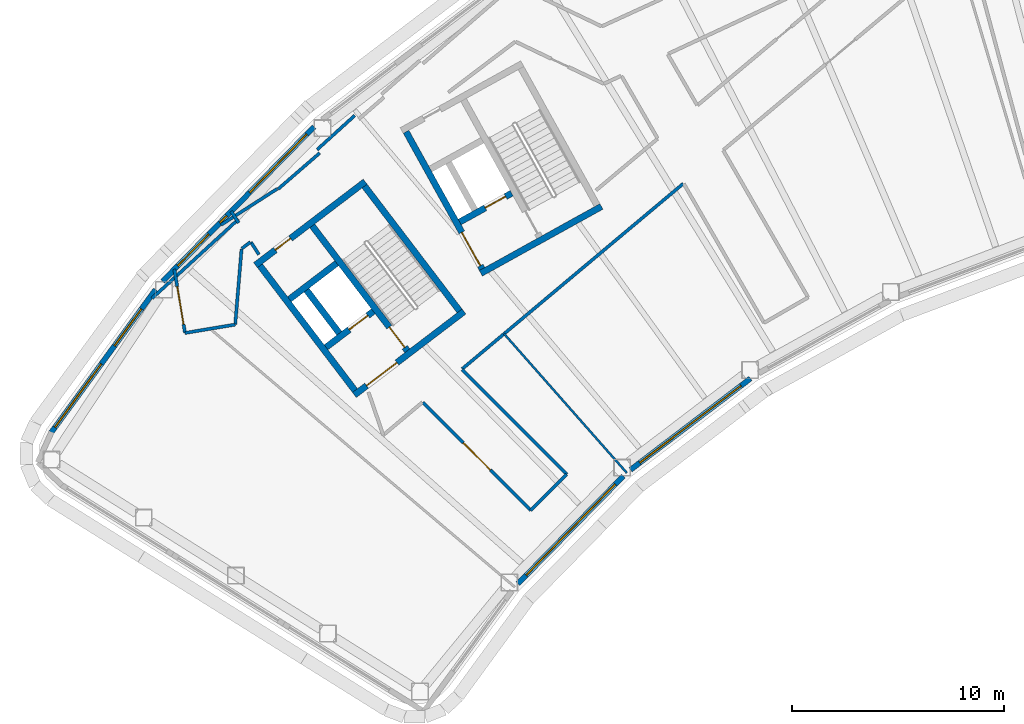
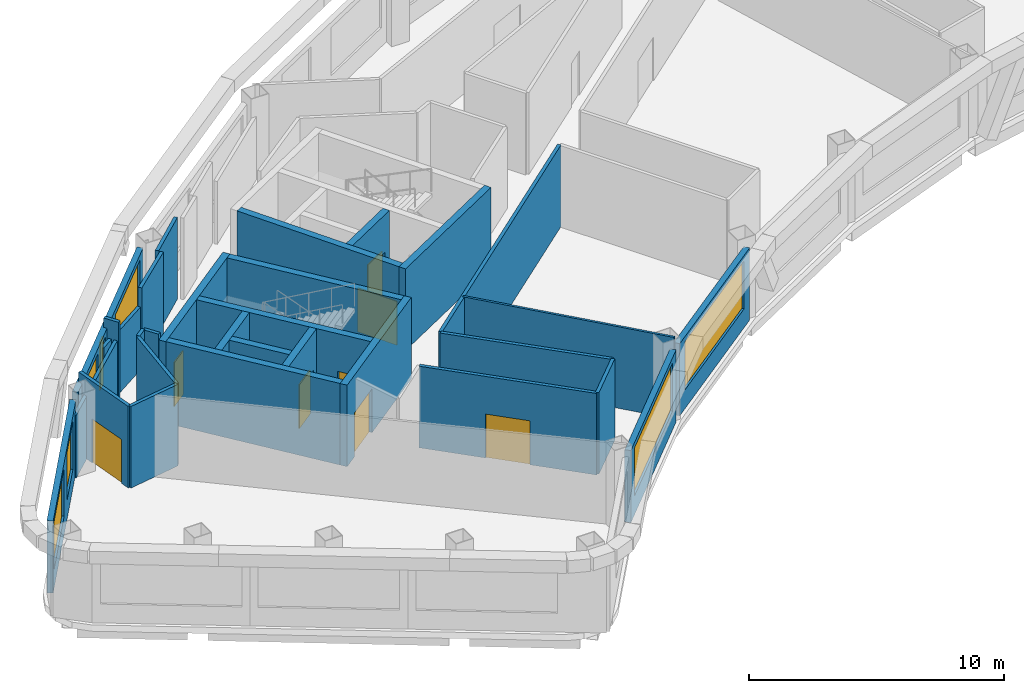
# One storey, part 5 of 13: 30 walls, 8 doors, 7 windows, 15 openings.
"""IFC4 building model written with IfcOpenShell, lengths in metres."""

from ifc_helpers import new_model, si_unit, direction, frame, frame_2d, origin, place, context, subcontext, project, spatial, rectangle, extrude, material, layer, layer_set, type_object, element, fill, save


model = new_model("IFC4")

# Units and contexts
model_context = context("Model", 3, precision=1e-05, world=origin(), true_north=direction((0.0, 1.0)))
body_context = subcontext(model_context, "Body", "Model", "MODEL_VIEW")
ifc_project = project(units=[si_unit("LENGTHUNIT", "METRE"), si_unit("AREAUNIT", "SQUARE_METRE"), si_unit("VOLUMEUNIT", "CUBIC_METRE"), si_unit("PLANEANGLEUNIT", "RADIAN"), si_unit("MASSUNIT", "GRAM", prefix="KILO")], contexts=[model_context])

# Site, building, storey
site_placement = place(None, origin())
site = spatial("IfcSite", under=ifc_project, at=site_placement, CompositionType="ELEMENT")
building_placement = place(site_placement, origin())
building = spatial("IfcBuilding", under=site, at=building_placement, Name="Tuul Gate Civic Tower", CompositionType="ELEMENT")
storey_placement = place(building_placement, frame((0.0, 0.0, 252.60009765625)))
storey = spatial("IfcBuildingStorey", under=building, at=storey_placement, Name="Level 57", CompositionType="ELEMENT", Elevation=252.60009765625)

# Wall, opening, door
ifc_material_1 = material(Name="Concrete C50/60", Category="concrete")
ifc_layer_1 = layer(ifc_material_1, 0.300048828125)
ifc_layer_set_1 = layer_set([ifc_layer_1], Name="Concrete C50/60")
wall_type_1 = type_object("IfcWallType", Name="Core wall C50/60", PredefinedType="SHEAR", material=ifc_layer_set_1)
wall_1_placement = place(storey_placement, frame((-31.19091796875, -13.669677734375, 0.0), z_axis=(0.0, 0.0, 1.0), x_axis=(-0.795606717756, -0.605813461934, 0.0)))
wall_1 = element("IfcWall", 1, at=wall_1_placement, inside=storey, type_object=wall_type_1, Name="Core wall", PredefinedType="SHEAR", context=body_context, shape_type="SweptSolid", body=[
    extrude(rectangle(XDim=6.5, YDim=0.300048828125, at=frame_2d((3.25, 0.0))), origin(), (0.0, 0.0, 1.0), 3.89990234375),
])
opening_1_placement = place(wall_1_placement, frame((3.97509765625, 0.0, 0.0)))
opening_1 = element("IfcOpeningElement", 2, at=opening_1_placement, cuts=wall_1, Name="Opening LB-W1-LOBBY-1", PredefinedType="OPENING", context=body_context, shape_type="SweptSolid", body=[
    extrude(rectangle(XDim=1.800048828125, YDim=2.10009765625, at=frame_2d((0.89990234375, 1.050048828125))), frame((0.0, 0.16015625, 0.0), z_axis=(0.0, -1.0, 0.0), x_axis=(1.0, 0.0, 0.0)), (0.0, 0.0, 1.0), 0.320068359375),
])
ifc_material_2 = material(Name="Steel", Category="steel")
door_type_1 = type_object("IfcDoorType", Name="Lobby door", OperationType="DOUBLE_DOOR_SINGLE_SWING", PredefinedType="DOOR", material=ifc_material_2)
door_1_placement = place(opening_1_placement, origin())
door_1 = element("IfcDoor", 3, at=door_1_placement, inside=storey, type_object=door_type_1, Name="Lobby door W1-LOBBY", OperationType="DOUBLE_DOOR_SINGLE_SWING", OverallHeight=2.10009765625, OverallWidth=1.800048828125, PredefinedType="DOOR", context=body_context, shape_type="SweptSolid", body=[
    extrude(rectangle(XDim=1.800048828125, YDim=2.10009765625, at=frame_2d((0.89990234375, 1.050048828125))), frame((0.0, 0.02490234375, 0.0), z_axis=(0.0, -1.0, 0.0), x_axis=(1.0, 0.0, 0.0)), (0.0, 0.0, 1.0), 0.050048828125),
])
fill(opening_1, door_1)

wall_2_placement = place(storey_placement, frame((-35.470947265625, -13.66064453125, 0.0), z_axis=(0.0, 0.0, 1.0), x_axis=(-0.795615822227, -0.605801504968, 0.0)))
wall_2 = element("IfcWall", 4, at=wall_2_placement, inside=storey, type_object=wall_type_1, Name="Core wall", PredefinedType="SHEAR", context=body_context, shape_type="SweptSolid", body=[
    extrude(rectangle(XDim=2.800048828125, YDim=0.300048828125, at=frame_2d((1.39990234375, 0.0))), origin(), (0.0, 0.0, 1.0), 3.89990234375),
])
opening_2_placement = place(wall_2_placement, frame((0.324951171875, 0.0, 0.0)))
opening_2 = element("IfcOpeningElement", 5, at=opening_2_placement, cuts=wall_2, Name="Opening LD-H1", PredefinedType="OPENING", context=body_context, shape_type="SweptSolid", body=[
    extrude(rectangle(XDim=1.10009765625, YDim=2.10009765625, at=frame_2d((0.550048828125, 1.050048828125))), frame((0.0, 0.16015625, 0.0), z_axis=(0.0, -1.0, 0.0), x_axis=(1.0, 0.0, 0.0)), (0.0, 0.0, 1.0), 0.320068359375),
])
ifc_material_3 = material(Name="Stainless steel", Category="steel")
door_type_2 = type_object("IfcDoorType", Name="Landing door", OperationType="DOUBLE_DOOR_SLIDING", PredefinedType="DOOR", material=ifc_material_3)
door_2_placement = place(opening_2_placement, origin())
door_2 = element("IfcDoor", 6, at=door_2_placement, inside=storey, type_object=door_type_2, Name="High-rise lift H1 landing door", OperationType="DOUBLE_DOOR_SLIDING", OverallHeight=2.10009765625, OverallWidth=1.10009765625, PredefinedType="DOOR", context=body_context, shape_type="SweptSolid", body=[
    extrude(rectangle(XDim=1.10009765625, YDim=2.10009765625, at=frame_2d((0.550048828125, 1.050048828125))), frame((0.0, 0.02490234375, 0.0), z_axis=(0.0, -1.0, 0.0), x_axis=(1.0, 0.0, 0.0)), (0.0, 0.0, 1.0), 0.050048828125),
])
fill(opening_2, door_2)

# Wall
wall_3_placement = place(storey_placement, frame((-37.197509765625, -11.39306640625, 0.0), z_axis=(0.0, 0.0, 1.0), x_axis=(-0.795583820278, -0.605843531707, 0.0)))
element("IfcWall", 7, at=wall_3_placement, inside=storey, type_object=wall_type_1, Name="Core wall", PredefinedType="SHEAR", context=body_context, shape_type="SweptSolid", body=[
    extrude(rectangle(XDim=2.7998046875, YDim=0.300048828125, at=frame_2d((1.39990234375, 0.0))), origin(), (0.0, 0.0, 1.0), 3.89990234375),
])

# Wall, opening, door
wall_4_placement = place(storey_placement, frame((-35.855224609375, -7.543212890625, 0.0), z_axis=(0.0, 0.0, 1.0), x_axis=(-0.79563860527, -0.605771582202, 0.0)))
wall_4 = element("IfcWall", 8, at=wall_4_placement, inside=storey, type_object=wall_type_1, Name="Core wall", PredefinedType="SHEAR", context=body_context, shape_type="SweptSolid", body=[
    extrude(rectangle(XDim=6.5, YDim=0.300048828125, at=frame_2d((3.25, 0.0))), origin(), (0.0, 0.0, 1.0), 3.89990234375),
])
opening_3_placement = place(wall_4_placement, frame((4.425048828125, 0.0, 0.0)))
opening_3 = element("IfcOpeningElement", 9, at=opening_3_placement, cuts=wall_4, Name="Opening U-D16", PredefinedType="OPENING", context=body_context, shape_type="SweptSolid", body=[
    extrude(rectangle(XDim=0.89990234375, YDim=2.10009765625, at=frame_2d((0.449951171875, 1.050048828125))), frame((0.0, 0.16015625, 0.0), z_axis=(0.0, -1.0, 0.0), x_axis=(1.0, 0.0, 0.0)), (0.0, 0.0, 1.0), 0.320068359375),
])
ifc_material_4 = material(Name="Timber door leaf", Category="wood")
door_type_3 = type_object("IfcDoorType", Name="Door D09", OperationType="NOTDEFINED", PredefinedType="DOOR", material=ifc_material_4)
door_3_placement = place(opening_3_placement, origin())
door_3 = element("IfcDoor", 10, at=door_3_placement, inside=storey, type_object=door_type_3, Name="Door U-D16", OperationType="SINGLE_SWING_LEFT", OverallHeight=2.10009765625, OverallWidth=0.89990234375, PredefinedType="DOOR", context=body_context, shape_type="SweptSolid", body=[
    extrude(rectangle(XDim=0.89990234375, YDim=2.10009765625, at=frame_2d((0.449951171875, 1.050048828125))), frame((0.0, 0.02490234375, 0.0), z_axis=(0.0, -1.0, 0.0), x_axis=(1.0, 0.0, 0.0)), (0.0, 0.0, 1.0), 0.050048828125),
])
fill(opening_3, door_3)

# Wall
wall_5_placement = place(storey_placement, frame((-31.401123046875, -13.64111328125, 0.0), z_axis=(0.0, 0.0, 1.0), x_axis=(-0.605769822278, 0.795639945213, 0.0)))
element("IfcWall", 11, at=wall_5_placement, inside=storey, type_object=wall_type_1, Name="Core wall", PredefinedType="SHEAR", context=body_context, shape_type="SweptSolid", body=[
    extrude(rectangle(XDim=7.39990234375, YDim=0.300048828125, at=frame_2d((3.699951171875, 0.0))), origin(), (0.0, 0.0, 1.0), 3.89990234375),
])

# Wall, opening, door
wall_6_placement = place(storey_placement, frame((-33.867431640625, -15.51904296875, 0.0), z_axis=(0.0, 0.0, 1.0), x_axis=(-0.605769822278, 0.795639945213, 0.0)))
wall_6 = element("IfcWall", 12, at=wall_6_placement, inside=storey, type_object=wall_type_1, Name="Core wall", PredefinedType="SHEAR", context=body_context, shape_type="SweptSolid", body=[
    extrude(rectangle(XDim=7.39990234375, YDim=0.300048828125, at=frame_2d((3.699951171875, 0.0))), origin(), (0.0, 0.0, 1.0), 3.89990234375),
])
opening_4_placement = place(wall_6_placement, frame((0.199951171875, 0.0, 0.0)))
opening_4 = element("IfcOpeningElement", 13, at=opening_4_placement, cuts=wall_6, Name="Opening SD-ST-1", PredefinedType="OPENING", context=body_context, shape_type="SweptSolid", body=[
    extrude(rectangle(XDim=1.199951171875, YDim=2.10009765625, at=frame_2d((0.60009765625, 1.050048828125))), frame((0.0, 0.16015625, 0.0), z_axis=(0.0, -1.0, 0.0), x_axis=(1.0, 0.0, 0.0)), (0.0, 0.0, 1.0), 0.320068359375),
])
ifc_material_5 = material(Name="Steel", Category="steel")
door_type_4 = type_object("IfcDoorType", Name="Stair door", OperationType="NOTDEFINED", PredefinedType="DOOR", material=ifc_material_5)
door_4_placement = place(opening_4_placement, origin())
door_4 = element("IfcDoor", 14, at=door_4_placement, inside=storey, type_object=door_type_4, Name="Stair door ST-1", OperationType="SINGLE_SWING_LEFT", OverallHeight=2.10009765625, OverallWidth=1.199951171875, PredefinedType="DOOR", context=body_context, shape_type="SweptSolid", body=[
    extrude(rectangle(XDim=1.199951171875, YDim=2.10009765625, at=frame_2d((0.60009765625, 1.050048828125))), frame((0.0, 0.02490234375, 0.0), z_axis=(0.0, -1.0, 0.0), x_axis=(1.0, 0.0, 0.0)), (0.0, 0.0, 1.0), 0.050048828125),
])
fill(opening_4, door_4)

# Walls
wall_7_placement = place(storey_placement, frame((-37.073486328125, -14.6923828125, 0.0), z_axis=(0.0, 0.0, 1.0), x_axis=(-0.605728760074, 0.79567120673, 0.0)))
element("IfcWall", 15, at=wall_7_placement, inside=storey, type_object=wall_type_1, Name="Core wall", PredefinedType="SHEAR", context=body_context, shape_type="SweptSolid", body=[
    extrude(rectangle(XDim=2.550048828125, YDim=0.300048828125, at=frame_2d((1.27490234375, 0.0))), origin(), (0.0, 0.0, 1.0), 3.89990234375),
])
wall_8_placement = place(storey_placement, frame((-36.333984375, -17.397216796875, 0.0), z_axis=(0.0, 0.0, 1.0), x_axis=(-0.605753921168, 0.795652051458, 0.0)))
element("IfcWall", 16, at=wall_8_placement, inside=storey, type_object=wall_type_1, Name="Core wall", PredefinedType="SHEAR", context=body_context, shape_type="SweptSolid", body=[
    extrude(rectangle(XDim=7.400146484375, YDim=0.300048828125, at=frame_2d((3.7001953125, 0.0))), origin(), (0.0, 0.0, 1.0), 3.89990234375),
])
wall_9_placement = place(storey_placement, frame((-24.711669921875, -8.7158203125, 0.0), z_axis=(0.0, 0.0, 1.0), x_axis=(-0.874629909008, -0.484791215132, 0.0)))
element("IfcWall", 17, at=wall_9_placement, inside=storey, type_object=wall_type_1, Name="Core wall", PredefinedType="SHEAR", context=body_context, shape_type="SweptSolid", body=[
    extrude(rectangle(XDim=6.5, YDim=0.300048828125, at=frame_2d((3.25, 0.0))), origin(), (0.0, 0.0, 1.0), 3.89990234375),
])

# Wall, opening, door
wall_10_placement = place(storey_placement, frame((-28.94580078125, -8.090087890625, 0.0), z_axis=(0.0, 0.0, 1.0), x_axis=(-0.874629840737, -0.484791338301, 0.0)))
wall_10 = element("IfcWall", 18, at=wall_10_placement, inside=storey, type_object=wall_type_1, Name="Core wall", PredefinedType="SHEAR", context=body_context, shape_type="SweptSolid", body=[
    extrude(rectangle(XDim=2.800048828125, YDim=0.300048828125, at=frame_2d((1.39990234375, 0.0))), origin(), (0.0, 0.0, 1.0), 3.89990234375),
])
opening_5_placement = place(wall_10_placement, frame((0.324951171875, 0.0, 0.0)))
opening_5 = element("IfcOpeningElement", 19, at=opening_5_placement, cuts=wall_10, Name="Opening LD-FF-1", PredefinedType="OPENING", context=body_context, shape_type="SweptSolid", body=[
    extrude(rectangle(XDim=1.10009765625, YDim=2.10009765625, at=frame_2d((0.550048828125, 1.050048828125))), frame((0.0, 0.16015625, 0.0), z_axis=(0.0, -1.0, 0.0), x_axis=(1.0, 0.0, 0.0)), (0.0, 0.0, 1.0), 0.320068359375),
])
door_5_placement = place(opening_5_placement, origin())
door_5 = element("IfcDoor", 20, at=door_5_placement, inside=storey, type_object=door_type_2, Name="Fire-fighting lift FF-1 landing door", OperationType="DOUBLE_DOOR_SLIDING", OverallHeight=2.10009765625, OverallWidth=1.10009765625, PredefinedType="DOOR", context=body_context, shape_type="SweptSolid", body=[
    extrude(rectangle(XDim=1.10009765625, YDim=2.10009765625, at=frame_2d((0.550048828125, 1.050048828125))), frame((0.0, 0.02490234375, 0.0), z_axis=(0.0, -1.0, 0.0), x_axis=(1.0, 0.0, 0.0)), (0.0, 0.0, 1.0), 0.050048828125),
])
fill(opening_5, door_5)

wall_11_placement = place(storey_placement, frame((-30.33837890625, -11.6630859375, 0.0), z_axis=(0.0, 0.0, 1.0), x_axis=(-0.484751894226, 0.874651702704, 0.0)))
wall_11 = element("IfcWall", 21, at=wall_11_placement, inside=storey, type_object=wall_type_1, Name="Core wall", PredefinedType="SHEAR", context=body_context, shape_type="SweptSolid", body=[
    extrude(rectangle(XDim=7.39990234375, YDim=0.300048828125, at=frame_2d((3.699951171875, 0.0))), origin(), (0.0, 0.0, 1.0), 3.89990234375),
])
opening_6_placement = place(wall_11_placement, frame((0.175048828125, 0.0, 0.0)))
opening_6 = element("IfcOpeningElement", 22, at=opening_6_placement, cuts=wall_11, Name="Opening LB-W2-FLOBBY-1", PredefinedType="OPENING", context=body_context, shape_type="SweptSolid", body=[
    extrude(rectangle(XDim=1.800048828125, YDim=2.10009765625, at=frame_2d((0.89990234375, 1.050048828125))), frame((0.0, 0.16015625, 0.0), z_axis=(0.0, -1.0, 0.0), x_axis=(1.0, 0.0, 0.0)), (0.0, 0.0, 1.0), 0.320068359375),
])
door_6_placement = place(opening_6_placement, origin())
door_6 = element("IfcDoor", 23, at=door_6_placement, inside=storey, type_object=door_type_1, Name="Lobby door W2-FLOBBY", OperationType="DOUBLE_DOOR_SINGLE_SWING", OverallHeight=2.10009765625, OverallWidth=1.800048828125, PredefinedType="DOOR", context=body_context, shape_type="SweptSolid", body=[
    extrude(rectangle(XDim=1.800048828125, YDim=2.10009765625, at=frame_2d((0.89990234375, 1.050048828125))), frame((0.0, 0.02490234375, 0.0), z_axis=(0.0, -1.0, 0.0), x_axis=(1.0, 0.0, 0.0)), (0.0, 0.0, 1.0), 0.050048828125),
])
fill(opening_6, door_6)

# Walls
ifc_material_6 = material(Name="Gypsum board partition")
ifc_layer_2 = layer(ifc_material_6, 0.14990234375)
ifc_layer_set_2 = layer_set([ifc_layer_2], Name="Gypsum board partition")
wall_type_2 = type_object("IfcWallType", Name="Corridor wall P150", PredefinedType="PARTITIONING", material=ifc_layer_set_2)
wall_12_placement = place(storey_placement, frame((-39.96533203125, -7.898193359375, 0.0), z_axis=(0.0, 0.0, 1.0), x_axis=(0.755667404035, 0.654955551529, 0.0)))
element("IfcWall", 24, at=wall_12_placement, inside=storey, type_object=wall_type_2, Name="p032", PredefinedType="PARTITIONING", context=body_context, shape_type="SweptSolid", body=[
    extrude(rectangle(XDim=2.60107421875, YDim=0.14990234375, at=frame_2d((1.300537109375, 0.0))), origin(), (0.0, 0.0, 1.0), 3.89990234375),
])
wall_13_placement = place(storey_placement, frame((-38.119873046875, -6.034912109375, 0.0), z_axis=(0.0, 0.0, 1.0), x_axis=(0.740216173835, 0.672368958231, 0.0)))
element("IfcWall", 25, at=wall_13_placement, inside=storey, type_object=wall_type_2, Name="p036", PredefinedType="PARTITIONING", context=body_context, shape_type="SweptSolid", body=[
    extrude(rectangle(XDim=2.400146484375, YDim=0.14990234375, at=frame_2d((1.2001953125, 0.0))), origin(), (0.0, 0.0, 1.0), 3.89990234375),
])
wall_14_placement = place(storey_placement, frame((-42.174560546875, -8.940185546875, 0.0), z_axis=(0.0, 0.0, 1.0), x_axis=(0.539372969986, -0.842066980263, 0.0)))
element("IfcWall", 26, at=wall_14_placement, inside=storey, type_object=wall_type_2, Name="p039", PredefinedType="PARTITIONING", context=body_context, shape_type="SweptSolid", body=[
    extrude(rectangle(XDim=0.65087890625, YDim=0.14990234375, at=frame_2d((0.325439453125, 0.0))), origin(), (0.0, 0.0, 1.0), 3.89990234375),
])
wall_15_placement = place(storey_placement, frame((-41.2392578125, -10.39990234375, 0.0), z_axis=(0.0, 0.0, 1.0), x_axis=(0.539344708259, -0.842085082206, 0.0)))
element("IfcWall", 27, at=wall_15_placement, inside=storey, type_object=wall_type_2, Name="p040", PredefinedType="PARTITIONING", context=body_context, shape_type="SweptSolid", body=[
    extrude(rectangle(XDim=0.6904296875, YDim=0.14990234375, at=frame_2d((0.34521484375, 0.0))), origin(), (0.0, 0.0, 1.0), 3.89990234375),
])

# Wall, opening, door
wall_16_placement = place(storey_placement, frame((-44.85498046875, -11.6748046875, 0.0), z_axis=(0.0, 0.0, 1.0), x_axis=(0.165255845903, -0.986250731505, 0.0)))
wall_16 = element("IfcWall", 28, at=wall_16_placement, inside=storey, type_object=wall_type_2, Name="p041", PredefinedType="PARTITIONING", context=body_context, shape_type="SweptSolid", body=[
    extrude(rectangle(XDim=3.04931640625, YDim=0.14990234375, at=frame_2d((1.524658203125, 0.0))), origin(), (0.0, 0.0, 1.0), 3.89990234375),
])
opening_7_placement = place(wall_16_placement, frame((0.828857421875, 0.0, 0.0)))
opening_7 = element("IfcOpeningElement", 29, at=opening_7_placement, cuts=wall_16, Name="Opening U-D06", PredefinedType="OPENING", context=body_context, shape_type="SweptSolid", body=[
    extrude(rectangle(XDim=1.800048828125, YDim=2.10009765625, at=frame_2d((0.89990234375, 1.050048828125))), frame((0.0, 0.0849609375, 0.0), z_axis=(0.0, -1.0, 0.0), x_axis=(1.0, 0.0, 0.0)), (0.0, 0.0, 1.0), 0.169921875),
])
ifc_material_7 = material(Name="Timber door leaf, double", Category="wood")
door_type_5 = type_object("IfcDoorType", Name="Door D18", OperationType="DOUBLE_DOOR_SINGLE_SWING", PredefinedType="DOOR", material=ifc_material_7)
door_7_placement = place(opening_7_placement, origin())
door_7 = element("IfcDoor", 30, at=door_7_placement, inside=storey, type_object=door_type_5, Name="Door U-D06", OperationType="DOUBLE_DOOR_SINGLE_SWING", OverallHeight=2.10009765625, OverallWidth=1.800048828125, PredefinedType="DOOR", context=body_context, shape_type="SweptSolid", body=[
    extrude(rectangle(XDim=1.800048828125, YDim=2.10009765625, at=frame_2d((0.89990234375, 1.050048828125))), frame((0.0, 0.02490234375, 0.0), z_axis=(0.0, -1.0, 0.0), x_axis=(1.0, 0.0, 0.0)), (0.0, 0.0, 1.0), 0.050048828125),
])
fill(opening_7, door_7)

# Walls
wall_17_placement = place(storey_placement, frame((-44.35107421875, -14.68212890625, 0.0), z_axis=(0.0, 0.0, 1.0), x_axis=(0.986253316236, 0.165240419433, 0.0)))
element("IfcWall", 31, at=wall_17_placement, inside=storey, type_object=wall_type_2, Name="p042", PredefinedType="PARTITIONING", context=body_context, shape_type="SweptSolid", body=[
    extrude(rectangle(XDim=2.3994140625, YDim=0.14990234375, at=frame_2d((1.19970703125, 0.0))), origin(), (0.0, 0.0, 1.0), 3.89990234375),
])
wall_18_placement = place(storey_placement, frame((-31.283203125, -16.38232421875, 0.0), z_axis=(0.0, 0.0, 1.0), x_axis=(0.766345700794, 0.642428413813, 0.0)))
element("IfcWall", 32, at=wall_18_placement, inside=storey, type_object=wall_type_2, Name="p060", PredefinedType="PARTITIONING", context=body_context, shape_type="SweptSolid", body=[
    extrude(rectangle(XDim=13.606201171875, YDim=0.14990234375, at=frame_2d((6.80322265625, 0.0))), origin(), (0.0, 0.0, 1.0), 3.89990234375),
])
wall_19_placement = place(storey_placement, frame((-41.984130859375, -14.284912109375, 0.0), z_axis=(0.0, 0.0, 1.0), x_axis=(0.083948445935, 0.996470099112, 0.0)))
element("IfcWall", 33, at=wall_19_placement, inside=storey, type_object=wall_type_2, Name="p073", PredefinedType="PARTITIONING", context=body_context, shape_type="SweptSolid", body=[
    extrude(rectangle(XDim=3.580078125, YDim=0.14990234375, at=frame_2d((1.7900390625, 0.0))), origin(), (0.0, 0.0, 1.0), 3.89990234375),
])
wall_20_placement = place(storey_placement, frame((-41.675537109375, -10.703369140625, 0.0), z_axis=(0.0, 0.0, 1.0), x_axis=(0.797307327039, 0.603573546678, 0.0)))
element("IfcWall", 34, at=wall_20_placement, inside=storey, type_object=wall_type_2, Name="p074", PredefinedType="PARTITIONING", context=body_context, shape_type="SweptSolid", body=[
    extrude(rectangle(XDim=0.512939453125, YDim=0.14990234375, at=frame_2d((0.25634765625, 0.0))), origin(), (0.0, 0.0, 1.0), 3.89990234375),
])

# Wall, opening, door
wall_21_placement = place(storey_placement, frame((-33.13330078125, -17.957275390625, 0.0), z_axis=(0.0, 0.0, 1.0), x_axis=(0.707123737574, -0.707089824393, 0.0)))
wall_21 = element("IfcWall", 35, at=wall_21_placement, inside=storey, type_object=wall_type_2, Name="p077", PredefinedType="PARTITIONING", context=body_context, shape_type="SweptSolid", body=[
    extrude(rectangle(XDim=7.198974609375, YDim=0.14990234375, at=frame_2d((3.599609375, 0.0))), origin(), (0.0, 0.0, 1.0), 3.89990234375),
])
opening_8_placement = place(wall_21_placement, frame((2.699462890625, 0.0, 0.0)))
opening_8 = element("IfcOpeningElement", 36, at=opening_8_placement, cuts=wall_21, Name="Opening U-D10", PredefinedType="OPENING", context=body_context, shape_type="SweptSolid", body=[
    extrude(rectangle(XDim=1.800048828125, YDim=2.10009765625, at=frame_2d((0.89990234375, 1.050048828125))), frame((0.0, 0.0849609375, 0.0), z_axis=(0.0, -1.0, 0.0), x_axis=(1.0, 0.0, 0.0)), (0.0, 0.0, 1.0), 0.169921875),
])
door_8_placement = place(opening_8_placement, frame((1.800048828125, 0.0, 0.0), z_axis=(0.0, 0.0, 1.0), x_axis=(-1.0, 0.0, 0.0)))
door_8 = element("IfcDoor", 37, at=door_8_placement, inside=storey, type_object=door_type_5, Name="Door U-D10", OperationType="DOUBLE_DOOR_SINGLE_SWING", OverallHeight=2.10009765625, OverallWidth=1.800048828125, PredefinedType="DOOR", context=body_context, shape_type="SweptSolid", body=[
    extrude(rectangle(XDim=1.800048828125, YDim=2.10009765625, at=frame_2d((0.900146484375, 1.050048828125))), frame((0.0, 0.02490234375, 0.0), z_axis=(0.0, -1.0, 0.0), x_axis=(1.0, 0.0, 0.0)), (0.0, 0.0, 1.0), 0.050048828125),
])
fill(opening_8, door_8)

# Walls
wall_22_placement = place(storey_placement, frame((-28.0419921875, -23.047607421875, 0.0), z_axis=(0.0, 0.0, 1.0), x_axis=(0.707106781187, 0.707106781187, 0.0)))
element("IfcWall", 38, at=wall_22_placement, inside=storey, type_object=wall_type_2, Name="p078", PredefinedType="PARTITIONING", context=body_context, shape_type="SweptSolid", body=[
    extrude(rectangle(XDim=2.39892578125, YDim=0.14990234375, at=frame_2d((1.199462890625, 0.0))), origin(), (0.0, 0.0, 1.0), 3.89990234375),
])
wall_23_placement = place(storey_placement, frame((-31.284423828125, -16.411865234375, 0.0), z_axis=(0.0, 0.0, 1.0), x_axis=(0.707106781187, -0.707106781187, 0.0)))
element("IfcWall", 39, at=wall_23_placement, inside=storey, type_object=wall_type_2, Name="p079", PredefinedType="PARTITIONING", context=body_context, shape_type="SweptSolid", body=[
    extrude(rectangle(XDim=6.984375, YDim=0.14990234375, at=frame_2d((3.4921875, 0.0))), origin(), (0.0, 0.0, 1.0), 3.89990234375),
])
ifc_material_8 = material(Name="Gypsum board partition")
ifc_layer_3 = layer(ifc_material_8, 0.14990234375)
ifc_layer_set_3 = layer_set([ifc_layer_3], Name="Gypsum board partition")
wall_type_3 = type_object("IfcWallType", Name="Corridor wall P150 3000 HIGH", PredefinedType="PARTITIONING", material=ifc_layer_set_3)
wall_24_placement = place(storey_placement, frame((-45.907470703125, -13.0478515625, 0.0), z_axis=(0.0, 0.0, 1.0), x_axis=(0.737529495055, 0.675314922035, 0.0)))
element("IfcWall", 40, at=wall_24_placement, inside=storey, type_object=wall_type_3, Name="p031", PredefinedType="PARTITIONING", context=body_context, shape_type="SweptSolid", body=[
    extrude(rectangle(XDim=5.533203125, YDim=0.14990234375, at=frame_2d((2.7666015625, 0.0))), origin(), (0.0, 0.0, 1.0), 3.0),
])
wall_25_placement = place(storey_placement, frame((-42.650390625, -9.583984375, 0.0), z_axis=(0.0, 0.0, 1.0), x_axis=(0.840981405699, 0.541064021415, 0.0)))
element("IfcWall", 41, at=wall_25_placement, inside=storey, type_object=wall_type_3, Name="p037", PredefinedType="PARTITIONING", context=body_context, shape_type="SweptSolid", body=[
    extrude(rectangle(XDim=3.140625, YDim=0.14990234375, at=frame_2d((1.5703125, 0.0))), origin(), (0.0, 0.0, 1.0), 3.0),
])

# Wall, openings, windows
ifc_material_9 = material(Name="Precast concrete C40/50", Category="concrete")
ifc_layer_4 = layer(ifc_material_9, 0.25)
ifc_layer_set_4 = layer_set([ifc_layer_4], Name="Precast concrete C40/50")
wall_type_4 = type_object("IfcWallType", Name="External wall", PredefinedType="STANDARD", material=ifc_layer_set_4)
wall_26_placement = place(storey_placement, frame((-38.26708984375, -4.960693359375, 0.0), z_axis=(0.0, 0.0, 1.0), x_axis=(-0.699995514974, -0.714147239031, 0.0)))
wall_26 = element("IfcWall", 42, at=wall_26_placement, inside=storey, type_object=wall_type_4, Name="External wall", PredefinedType="STANDARD", context=body_context, shape_type="SweptSolid", body=[
    extrude(rectangle(XDim=10.19580078125, YDim=0.25, at=frame_2d((5.097900390625, 0.0))), origin(), (0.0, 0.0, 1.0), 3.449951171875),
])
opening_9_placement = place(wall_26_placement, frame((0.487548828125, 0.0, 0.89990234375)))
opening_9 = element("IfcOpeningElement", 43, at=opening_9_placement, cuts=wall_26, Name="Opening W22", PredefinedType="OPENING", context=body_context, shape_type="SweptSolid", body=[
    extrude(rectangle(XDim=3.85009765625, YDim=2.300048828125, at=frame_2d((1.925048828125, 1.14990234375))), frame((0.0, 0.135009765625, 0.0), z_axis=(0.0, -1.0, 0.0), x_axis=(1.0, 0.0, 0.0)), (0.0, 0.0, 1.0), 0.27001953125),
])
opening_10_placement = place(wall_26_placement, frame((5.885009765625, 0.0, 0.89990234375)))
opening_10 = element("IfcOpeningElement", 44, at=opening_10_placement, cuts=wall_26, Name="Opening W128", PredefinedType="OPENING", context=body_context, shape_type="SweptSolid", body=[
    extrude(rectangle(XDim=0.449951171875, YDim=2.300048828125, at=frame_2d((0.22509765625, 1.14990234375))), frame((0.0, 0.135009765625, 0.0), z_axis=(0.0, -1.0, 0.0), x_axis=(1.0, 0.0, 0.0)), (0.0, 0.0, 1.0), 0.27001953125),
])
opening_11_placement = place(wall_26_placement, frame((7.082275390625, 0.0, 0.89990234375)))
opening_11 = element("IfcOpeningElement", 45, at=opening_11_placement, cuts=wall_26, Name="Opening W40", PredefinedType="OPENING", context=body_context, shape_type="SweptSolid", body=[
    extrude(rectangle(XDim=2.10009765625, YDim=2.300048828125, at=frame_2d((1.050048828125, 1.14990234375))), frame((0.0, 0.135009765625, 0.0), z_axis=(0.0, -1.0, 0.0), x_axis=(1.0, 0.0, 0.0)), (0.0, 0.0, 1.0), 0.27001953125),
])
ifc_material_10 = material(Name="Glass", Category="glass")
window_type_1 = type_object("IfcWindowType", Name="Window 2100 x 2300", PartitioningType="SINGLE_PANEL", PredefinedType="WINDOW", material=ifc_material_10)
window_1_placement = place(opening_11_placement, origin())
window_1 = element("IfcWindow", 46, at=window_1_placement, inside=storey, type_object=window_type_1, Name="Window", OverallHeight=2.300048828125, OverallWidth=2.10009765625, PartitioningType="SINGLE_PANEL", PredefinedType="WINDOW", context=body_context, shape_type="SweptSolid", body=[
    extrude(rectangle(XDim=2.10009765625, YDim=2.300048828125, at=frame_2d((1.050048828125, 1.14990234375))), frame((0.0, 0.030029296875, 0.0), z_axis=(0.0, -1.0, 0.0), x_axis=(1.0, 0.0, 0.0)), (0.0, 0.0, 1.0), 0.06005859375),
])
fill(opening_11, window_1)
ifc_material_11 = material(Name="Glass", Category="glass")
window_type_2 = type_object("IfcWindowType", Name="Window W128 450 x 2300", PartitioningType="SINGLE_PANEL", PredefinedType="WINDOW", material=ifc_material_11)
window_2_placement = place(opening_10_placement, origin())
window_2 = element("IfcWindow", 47, at=window_2_placement, inside=storey, type_object=window_type_2, Name="Window", OverallHeight=2.300048828125, OverallWidth=0.449951171875, PartitioningType="SINGLE_PANEL", PredefinedType="WINDOW", context=body_context, shape_type="SweptSolid", body=[
    extrude(rectangle(XDim=0.449951171875, YDim=2.300048828125, at=frame_2d((0.22509765625, 1.14990234375))), frame((0.0, 0.030029296875, 0.0), z_axis=(0.0, -1.0, 0.0), x_axis=(1.0, 0.0, 0.0)), (0.0, 0.0, 1.0), 0.06005859375),
])
fill(opening_10, window_2)
ifc_material_12 = material(Name="Glass", Category="glass")
window_type_3 = type_object("IfcWindowType", Name="Window W22 3850 x 2300", PartitioningType="SINGLE_PANEL", PredefinedType="WINDOW", material=ifc_material_12)
window_3_placement = place(opening_9_placement, origin())
window_3 = element("IfcWindow", 48, at=window_3_placement, inside=storey, type_object=window_type_3, Name="Window", OverallHeight=2.300048828125, OverallWidth=3.85009765625, PartitioningType="SINGLE_PANEL", PredefinedType="WINDOW", context=body_context, shape_type="SweptSolid", body=[
    extrude(rectangle(XDim=3.85009765625, YDim=2.300048828125, at=frame_2d((1.925048828125, 1.14990234375))), frame((0.0, 0.030029296875, 0.0), z_axis=(0.0, -1.0, 0.0), x_axis=(1.0, 0.0, 0.0)), (0.0, 0.0, 1.0), 0.06005859375),
])
fill(opening_9, window_3)

wall_27_placement = place(storey_placement, frame((-45.740966796875, -12.638671875, 0.0), z_axis=(0.0, 0.0, 1.0), x_axis=(-0.589821256366, -0.807533829346, 0.0)))
wall_27 = element("IfcWall", 49, at=wall_27_placement, inside=storey, type_object=wall_type_4, Name="External wall", PredefinedType="STANDARD", context=body_context, shape_type="SweptSolid", body=[
    extrude(rectangle(XDim=8.33642578125, YDim=0.25, at=frame_2d((4.168212890625, 0.0))), origin(), (0.0, 0.0, 1.0), 3.449951171875),
])
opening_12_placement = place(wall_27_placement, frame((4.3359375, 0.0, 0.89990234375)))
opening_12 = element("IfcOpeningElement", 50, at=opening_12_placement, cuts=wall_27, Name="Opening W21", PredefinedType="OPENING", context=body_context, shape_type="SweptSolid", body=[
    extrude(rectangle(XDim=3.699951171875, YDim=2.300048828125, at=frame_2d((1.85009765625, 1.14990234375))), frame((0.0, 0.135009765625, 0.0), z_axis=(0.0, -1.0, 0.0), x_axis=(1.0, 0.0, 0.0)), (0.0, 0.0, 1.0), 0.27001953125),
])
opening_13_placement = place(wall_27_placement, frame((1.125244140625, 0.0, 0.89990234375)))
opening_13 = element("IfcOpeningElement", 51, at=opening_13_placement, cuts=wall_27, Name="Opening W65", PredefinedType="OPENING", context=body_context, shape_type="SweptSolid", body=[
    extrude(rectangle(XDim=2.14990234375, YDim=2.300048828125, at=frame_2d((1.074951171875, 1.14990234375))), frame((0.0, 0.135009765625, 0.0), z_axis=(0.0, -1.0, 0.0), x_axis=(1.0, 0.0, 0.0)), (0.0, 0.0, 1.0), 0.27001953125),
])
ifc_material_13 = material(Name="Glass", Category="glass")
window_type_4 = type_object("IfcWindowType", Name="Window 2150 x 2300", PartitioningType="SINGLE_PANEL", PredefinedType="WINDOW", material=ifc_material_13)
window_4_placement = place(opening_13_placement, origin())
window_4 = element("IfcWindow", 52, at=window_4_placement, inside=storey, type_object=window_type_4, Name="Window", OverallHeight=2.300048828125, OverallWidth=2.14990234375, PartitioningType="SINGLE_PANEL", PredefinedType="WINDOW", context=body_context, shape_type="SweptSolid", body=[
    extrude(rectangle(XDim=2.14990234375, YDim=2.300048828125, at=frame_2d((1.074951171875, 1.14990234375))), frame((0.0, 0.030029296875, 0.0), z_axis=(0.0, -1.0, 0.0), x_axis=(1.0, 0.0, 0.0)), (0.0, 0.0, 1.0), 0.06005859375),
])
fill(opening_13, window_4)
ifc_material_14 = material(Name="Glass", Category="glass")
window_type_5 = type_object("IfcWindowType", Name="Window W21 3700 x 2300", PartitioningType="SINGLE_PANEL", PredefinedType="WINDOW", material=ifc_material_14)
window_5_placement = place(opening_12_placement, origin())
window_5 = element("IfcWindow", 53, at=window_5_placement, inside=storey, type_object=window_type_5, Name="Window", OverallHeight=2.300048828125, OverallWidth=3.699951171875, PartitioningType="SINGLE_PANEL", PredefinedType="WINDOW", context=body_context, shape_type="SweptSolid", body=[
    extrude(rectangle(XDim=3.699951171875, YDim=2.300048828125, at=frame_2d((1.85009765625, 1.14990234375))), frame((0.0, 0.030029296875, 0.0), z_axis=(0.0, -1.0, 0.0), x_axis=(1.0, 0.0, 0.0)), (0.0, 0.0, 1.0), 0.06005859375),
])
fill(opening_12, window_5)

# Wall, opening, window
wall_28_placement = place(storey_placement, frame((-28.64990234375, -26.50634765625, 0.0), z_axis=(0.0, 0.0, 1.0), x_axis=(0.700015105418, 0.714128036269, 0.0)))
wall_28 = element("IfcWall", 54, at=wall_28_placement, inside=storey, type_object=wall_type_4, Name="External wall", PredefinedType="STANDARD", context=body_context, shape_type="SweptSolid", body=[
    extrude(rectangle(XDim=7.10986328125, YDim=0.25, at=frame_2d((3.554931640625, 0.0))), origin(), (0.0, 0.0, 1.0), 3.449951171875),
])
opening_14_placement = place(wall_28_placement, frame((0.555908203125, 0.0, 0.89990234375)))
opening_14 = element("IfcOpeningElement", 55, at=opening_14_placement, cuts=wall_28, Name="Opening W26", PredefinedType="OPENING", context=body_context, shape_type="SweptSolid", body=[
    extrude(rectangle(XDim=6.0, YDim=2.300048828125, at=frame_2d((3.0, 1.14990234375))), frame((0.0, 0.135009765625, 0.0), z_axis=(0.0, -1.0, 0.0), x_axis=(1.0, 0.0, 0.0)), (0.0, 0.0, 1.0), 0.27001953125),
])
ifc_material_15 = material(Name="Glass", Category="glass")
window_type_6 = type_object("IfcWindowType", Name="Window W26 6000 x 2300", PartitioningType="SINGLE_PANEL", PredefinedType="WINDOW", material=ifc_material_15)
window_6_placement = place(opening_14_placement, origin())
window_6 = element("IfcWindow", 56, at=window_6_placement, inside=storey, type_object=window_type_6, Name="Window", OverallHeight=2.300048828125, OverallWidth=6.0, PartitioningType="SINGLE_PANEL", PredefinedType="WINDOW", context=body_context, shape_type="SweptSolid", body=[
    extrude(rectangle(XDim=6.0, YDim=2.300048828125, at=frame_2d((3.0, 1.14990234375))), frame((0.0, 0.030029296875, 0.0), z_axis=(0.0, -1.0, 0.0), x_axis=(1.0, 0.0, 0.0)), (0.0, 0.0, 1.0), 0.06005859375),
])
fill(opening_14, window_6)

wall_29_placement = place(storey_placement, frame((-23.3359375, -21.133056640625, 0.0), z_axis=(0.0, 0.0, 1.0), x_axis=(0.795636022241, 0.605774974815, 0.0)))
wall_29 = element("IfcWall", 57, at=wall_29_placement, inside=storey, type_object=wall_type_4, Name="External wall", PredefinedType="STANDARD", context=body_context, shape_type="SweptSolid", body=[
    extrude(rectangle(XDim=7.103271484375, YDim=0.25, at=frame_2d((3.5517578125, 0.0))), origin(), (0.0, 0.0, 1.0), 3.449951171875),
])
opening_15_placement = place(wall_29_placement, frame((0.540771484375, 0.0, 0.89990234375)))
opening_15 = element("IfcOpeningElement", 58, at=opening_15_placement, cuts=wall_29, Name="Opening W26", PredefinedType="OPENING", context=body_context, shape_type="SweptSolid", body=[
    extrude(rectangle(XDim=6.0, YDim=2.300048828125, at=frame_2d((3.0, 1.14990234375))), frame((0.0, 0.135009765625, 0.0), z_axis=(0.0, -1.0, 0.0), x_axis=(1.0, 0.0, 0.0)), (0.0, 0.0, 1.0), 0.27001953125),
])
window_7_placement = place(opening_15_placement, origin())
window_7 = element("IfcWindow", 59, at=window_7_placement, inside=storey, type_object=window_type_6, Name="Window", OverallHeight=2.300048828125, OverallWidth=6.0, PartitioningType="SINGLE_PANEL", PredefinedType="WINDOW", context=body_context, shape_type="SweptSolid", body=[
    extrude(rectangle(XDim=6.0, YDim=2.300048828125, at=frame_2d((3.0, 1.14990234375))), frame((0.0, 0.030029296875, 0.0), z_axis=(0.0, -1.0, 0.0), x_axis=(1.0, 0.0, 0.0)), (0.0, 0.0, 1.0), 0.06005859375),
])
fill(opening_15, window_7)

# Wall
ifc_material_16 = material(Name="Gypsum board partition")
ifc_layer_5 = layer(ifc_material_16, 0.10009765625)
ifc_layer_set_5 = layer_set([ifc_layer_5], Name="Gypsum board partition")
wall_type_5 = type_object("IfcWallType", Name="Partition P100", PredefinedType="PARTITIONING", material=ifc_layer_set_5)
wall_30_placement = place(storey_placement, frame((-29.302001953125, -14.7216796875, 0.0), z_axis=(0.0, 0.0, 1.0), x_axis=(0.661683512778, -0.749783254626, 0.0)))
element("IfcWall", 60, at=wall_30_placement, inside=storey, type_object=wall_type_5, Name="p067", PredefinedType="PARTITIONING", context=body_context, shape_type="SweptSolid", body=[
    extrude(rectangle(XDim=8.7431640625, YDim=0.10009765625, at=frame_2d((4.37158203125, 0.0))), origin(), (0.0, 0.0, 1.0), 3.89990234375),
])

save(model, "model.ifc")
